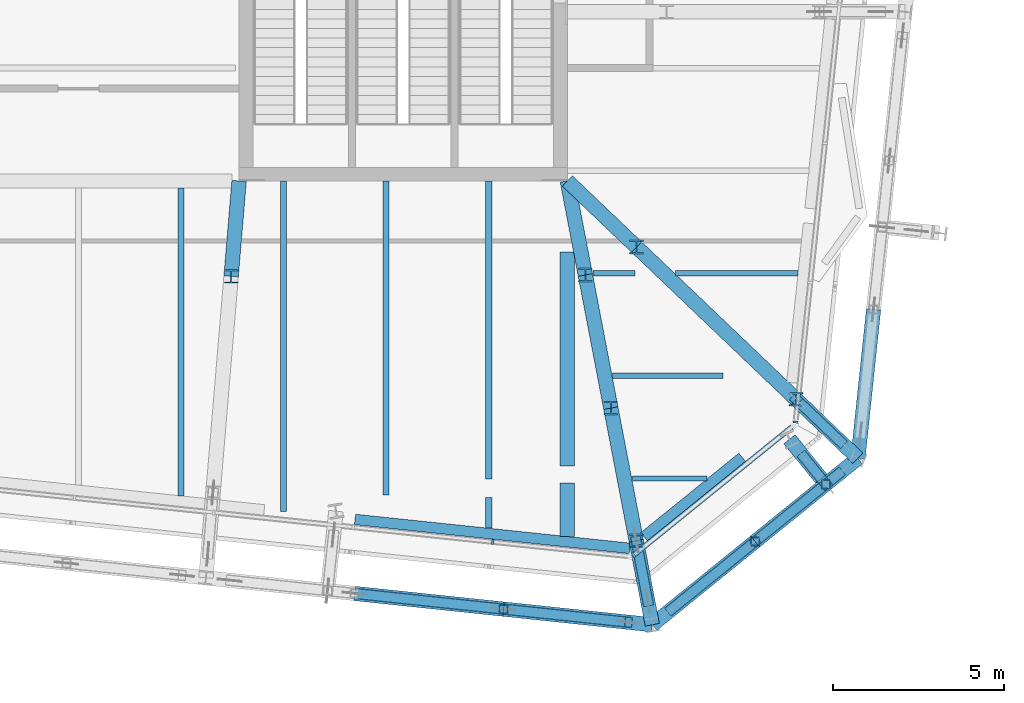
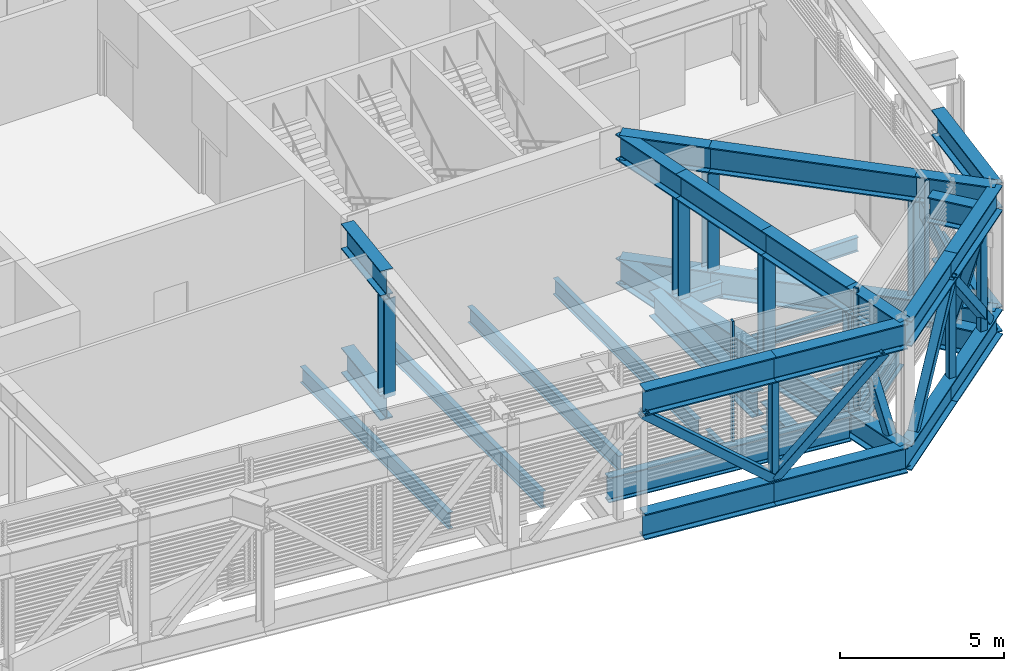
# One storey, part 9 of 36: 41 beams, 20 members, 3 elements without a shape of their own.
"""IFC4 building model written with IfcOpenShell, lengths in metres."""

from ifc_helpers import new_model, si_unit, direction, frame, origin, origin_2d, place, context, subcontext, project, spatial, rectangle, hollow_rectangle, i_section, extrude, material, layer, layer_set, material_profile, profile_set, type_object, element, aggregate, save


model = new_model("IFC4")

# Units and contexts
model_context = context("Model", 3, precision=1e-05, world=origin(), true_north=direction((0.0, 1.0)))
body_context = subcontext(model_context, "Body", "Model", "MODEL_VIEW")
ifc_project = project(units=[si_unit("LENGTHUNIT", "METRE"), si_unit("AREAUNIT", "SQUARE_METRE"), si_unit("VOLUMEUNIT", "CUBIC_METRE"), si_unit("PLANEANGLEUNIT", "RADIAN"), si_unit("MASSUNIT", "GRAM", prefix="KILO")], contexts=[model_context])

# Site, building, storey
site_placement = place(None, origin())
site = spatial("IfcSite", under=ifc_project, at=site_placement, CompositionType="ELEMENT")
building_placement = place(site_placement, origin())
building = spatial("IfcBuilding", under=site, at=building_placement, Name="Millrace Tower", CompositionType="ELEMENT")
storey_placement = place(building_placement, frame((0.0, 0.0, 271.39990234375)))
storey = spatial("IfcBuildingStorey", under=building, at=storey_placement, Name="L62", CompositionType="ELEMENT", Elevation=271.39990234375)

# Curtain wall, member
ifc_material_1 = material(Name="Aluminium and glass", Category="aluminium")
ifc_layer = layer(ifc_material_1, 0.14990234375)
ifc_layer_set = layer_set([ifc_layer], Name="Aluminium and glass")
curtain_wall_type = type_object("IfcCurtainWallType", Name="CW-5 truss and plant storey louvred infill", PredefinedType="NOTDEFINED", material=ifc_layer_set)
placement = place(storey_placement, origin())
curtain_wall_1 = element("IfcCurtainWall", 1, at=placement, inside=storey, type_object=curtain_wall_type, Name="Curtain wall E-F02 L62", PredefinedType="NOTDEFINED")
ifc_material_2 = material(Name="Aluminium", Category="aluminium")
ifc_material_profile_1 = material_profile(ifc_material_2, rectangle(XDim=0.06494140625, YDim=0.14990234375, at=origin_2d()))
ifc_profile_set_1 = profile_set([ifc_material_profile_1], Name="Aluminium")
member_type_1 = type_object("IfcMemberType", Name="CW-5 truss and plant storey louvred infill mullion", PredefinedType="MULLION", material=ifc_profile_set_1)
member_1_placement = place(storey_placement, frame((12.117919921875, -19.853271484375, 0.14013671875), z_axis=(0.0, 0.0, 1.0), x_axis=(0.994521896217, -0.104528455196, 0.0)))
member_1 = element("IfcMember", 2, at=member_1_placement, type_object=member_type_1, Name="CW5 mullion E-F02.9", PredefinedType="MULLION", context=body_context, shape_type="SweptSolid", body=[
    extrude(rectangle(XDim=0.06494140625, YDim=0.14990234375, at=origin_2d()), origin(), (0.0, 0.0, 1.0), 4.4599609375),
])
aggregate(curtain_wall_1, [member_1])

curtain_wall_2 = element("IfcCurtainWall", 3, at=placement, inside=storey, type_object=curtain_wall_type, Name="Curtain wall E-F03 L62", PredefinedType="NOTDEFINED")
member_2_placement = place(storey_placement, frame((16.243408203125, -20.24169921875, 0.14013671875), z_axis=(0.0, 0.0, 1.0), x_axis=(0.777146052237, 0.629320278945, 0.0)))
member_2 = element("IfcMember", 4, at=member_2_placement, type_object=member_type_1, Name="CW5 mullion E-F03.1", PredefinedType="MULLION", context=body_context, shape_type="SweptSolid", body=[
    extrude(rectangle(XDim=0.06494140625, YDim=0.14990234375, at=origin_2d()), origin(), (0.0, 0.0, 1.0), 4.4599609375),
])

curtain_wall_3 = element("IfcCurtainWall", 5, at=placement, inside=storey, type_object=curtain_wall_type, Name="Curtain wall E-F04 L62", PredefinedType="NOTDEFINED")
member_3_placement = place(storey_placement, frame((20.974853515625, -16.3525390625, 0.14013671875), z_axis=(0.0, 0.0, 1.0), x_axis=(0.104528455196, 0.994521896217, 0.0)))
member_3 = element("IfcMember", 6, at=member_3_placement, type_object=member_type_1, Name="CW5 mullion E-F04.1", PredefinedType="MULLION", context=body_context, shape_type="SweptSolid", body=[
    extrude(rectangle(XDim=0.06494140625, YDim=0.14990234375, at=origin_2d()), origin(), (0.0, 0.0, 1.0), 4.4599609375),
])
aggregate(curtain_wall_3, [member_3])

# Member
ifc_material_3 = material(Name="Aluminium", Category="aluminium")
ifc_material_profile_2 = material_profile(ifc_material_3, rectangle(XDim=0.14990234375, YDim=0.139892578125, at=origin_2d()))
ifc_profile_set_2 = profile_set([ifc_material_profile_2], Name="Aluminium")
member_type_2 = type_object("IfcMemberType", Name="CW-5 truss and plant storey louvred infill transom", PredefinedType="USERDEFINED", material=ifc_profile_set_2)
member_4_placement = place(storey_placement, frame((16.2958984375, -20.19921875, 0.070068359375), z_axis=(0.77714915117, 0.629316452061, 0.0), x_axis=(-0.629316452061, 0.77714915117, 0.0)))
member_4 = element("IfcMember", 7, at=member_4_placement, type_object=member_type_2, Name="CW5 transom E-F03.1", ObjectType="TRANSOM", PredefinedType="USERDEFINED", context=body_context, shape_type="SweptSolid", body=[
    extrude(rectangle(XDim=0.14990234375, YDim=0.139892578125, at=origin_2d()), origin(), (0.0, 0.0, 1.0), 5.880859375),
])

aggregate(curtain_wall_2, [member_2, member_4])

# Beams
ifc_material_4 = material(Name="Steel ASTM A992 Grade 50", Category="steel")
ifc_material_profile_3 = material_profile(ifc_material_4, i_section(OverallWidth=0.15234375, OverallDepth=0.449462890625, WebThickness=0.007568359375, FlangeThickness=0.0107421875, FilletRadius=0.01025390625, at=origin_2d()))
ifc_profile_set_3 = profile_set([ifc_material_profile_3], Name="Steel ASTM A992 Grade 50")
beam_type_1 = type_object("IfcBeamType", Name="Floor beam W18x35", PredefinedType="JOIST", material=ifc_profile_set_3)
beam_1_placement = place(storey_placement, frame((16.19970703125, -18.0, -0.384765625), z_axis=(1.0, 0.0, 0.0), x_axis=(0.0, 1.0, 0.0)))
element("IfcBeam", 8, at=beam_1_placement, inside=storey, type_object=beam_type_1, Name="BM-E-L62-S1-S001", PredefinedType="JOIST", context=body_context, shape_type="SweptSolid", body=[
    extrude(i_section(OverallWidth=0.15234375, OverallDepth=0.449462890625, WebThickness=0.007568359375, FlangeThickness=0.0107421875, FilletRadius=0.01025390625, at=origin_2d()), origin(), (0.0, 0.0, 1.0), 2.180419921875),
])
ifc_material_5 = material(Name="Steel ASTM A992 Grade 50", Category="steel")
ifc_material_profile_4 = material_profile(ifc_material_5, i_section(OverallWidth=0.1650390625, OverallDepth=0.52587890625, WebThickness=0.0087890625, FlangeThickness=0.011474609375, FilletRadius=0.0126953125, at=origin_2d()))
ifc_profile_set_4 = profile_set([ifc_material_profile_4], Name="Steel ASTM A992 Grade 50")
beam_type_2 = type_object("IfcBeamType", Name="Floor beam W21x44", PredefinedType="JOIST", material=ifc_profile_set_4)
beam_2_placement = place(storey_placement, frame((15.62353515625, -15.0, -0.4228515625), z_axis=(1.0, 0.0, 0.0), x_axis=(0.0, 1.0, 0.0)))
element("IfcBeam", 9, at=beam_2_placement, inside=storey, type_object=beam_type_2, Name="BM-E-L62-S1-S003-a", PredefinedType="JOIST", context=body_context, shape_type="SweptSolid", body=[
    extrude(i_section(OverallWidth=0.1650390625, OverallDepth=0.52587890625, WebThickness=0.0087890625, FlangeThickness=0.011474609375, FilletRadius=0.0126953125, at=origin_2d()), origin(), (0.0, 0.0, 1.0), 3.228515625),
])
beam_3_placement = place(storey_placement, frame((15.049072265625, -12.0, -0.4228515625), z_axis=(1.0, 0.0, 0.0), x_axis=(0.0, 1.0, 0.0)))
element("IfcBeam", 10, at=beam_3_placement, inside=storey, type_object=beam_type_2, Name="BM-E-L62-S1-S005-a", PredefinedType="JOIST", context=body_context, shape_type="SweptSolid", body=[
    extrude(i_section(OverallWidth=0.1650390625, OverallDepth=0.52587890625, WebThickness=0.0087890625, FlangeThickness=0.011474609375, FilletRadius=0.0126953125, at=origin_2d()), origin(), (0.0, 0.0, 1.0), 1.229248046875),
])
beam_4_placement = place(storey_placement, frame((17.456787109375, -12.0, -0.4228515625), z_axis=(1.0, 0.0, 0.0), x_axis=(0.0, 1.0, 0.0)))
element("IfcBeam", 11, at=beam_4_placement, inside=storey, type_object=beam_type_2, Name="BM-E-L62-S1-S005-b", PredefinedType="JOIST", context=body_context, shape_type="SweptSolid", body=[
    extrude(i_section(OverallWidth=0.1650390625, OverallDepth=0.52587890625, WebThickness=0.0087890625, FlangeThickness=0.011474609375, FilletRadius=0.0126953125, at=origin_2d()), origin(), (0.0, 0.0, 1.0), 3.591064453125),
])
ifc_material_6 = material(Name="Steel ASTM A992 Grade 50", Category="steel")
ifc_material_profile_5 = material_profile(ifc_material_6, i_section(OverallWidth=0.177978515625, OverallDepth=0.599365234375, WebThickness=0.010009765625, FlangeThickness=0.012939453125, FilletRadius=0.012939453125, at=origin_2d()))
ifc_profile_set_5 = profile_set([ifc_material_profile_5], Name="Steel ASTM A992 Grade 50")
beam_type_3 = type_object("IfcBeamType", Name="Floor beam W24x55", PredefinedType="JOIST", material=ifc_profile_set_5)
beam_5_placement = place(storey_placement, frame((3.0, -18.510498046875, -0.459716796875), z_axis=(0.0, 1.0, 0.0), x_axis=(-1.0, 0.0, 0.0)))
element("IfcBeam", 12, at=beam_5_placement, inside=storey, type_object=beam_type_3, Name="BM-E-L62-S1-S047", PredefinedType="JOIST", context=body_context, shape_type="SweptSolid", body=[
    extrude(i_section(OverallWidth=0.177978515625, OverallDepth=0.599365234375, WebThickness=0.010009765625, FlangeThickness=0.012939453125, FilletRadius=0.012939453125, at=origin_2d()), origin(), (0.0, 0.0, 1.0), 9.0009765625),
])
beam_6_placement = place(storey_placement, frame((6.0, -18.969970703125, -0.459716796875), z_axis=(0.0, 1.0, 0.0), x_axis=(-1.0, 0.0, 0.0)))
element("IfcBeam", 13, at=beam_6_placement, inside=storey, type_object=beam_type_3, Name="BM-E-L62-S1-S049", PredefinedType="JOIST", context=body_context, shape_type="SweptSolid", body=[
    extrude(i_section(OverallWidth=0.177978515625, OverallDepth=0.599365234375, WebThickness=0.010009765625, FlangeThickness=0.012939453125, FilletRadius=0.012939453125, at=origin_2d()), origin(), (0.0, 0.0, 1.0), 9.669921875),
])
beam_7_placement = place(storey_placement, frame((9.0, -18.491455078125, -0.459716796875), z_axis=(0.0, 1.0, 0.0), x_axis=(-1.0, 0.0, 0.0)))
element("IfcBeam", 14, at=beam_7_placement, inside=storey, type_object=beam_type_3, Name="BM-E-L62-S1-S051", PredefinedType="JOIST", context=body_context, shape_type="SweptSolid", body=[
    extrude(i_section(OverallWidth=0.177978515625, OverallDepth=0.599365234375, WebThickness=0.010009765625, FlangeThickness=0.012939453125, FilletRadius=0.012939453125, at=origin_2d()), origin(), (0.0, 0.0, 1.0), 9.19140625),
])
ifc_material_7 = material(Name="Steel ASTM A992 Grade 50", Category="steel")
ifc_material_profile_6 = material_profile(ifc_material_7, i_section(OverallWidth=0.1787109375, OverallDepth=0.60205078125, WebThickness=0.010986328125, FlangeThickness=0.014892578125, FilletRadius=0.0126953125, at=origin_2d()))
ifc_profile_set_6 = profile_set([ifc_material_profile_6], Name="Steel ASTM A992 Grade 50")
beam_type_4 = type_object("IfcBeamType", Name="Floor beam W24x62", PredefinedType="JOIST", material=ifc_profile_set_6)
beam_8_placement = place(storey_placement, frame((12.0, -19.45654296875, -0.4609375), z_axis=(0.0, 1.0, 0.0), x_axis=(-1.0, 0.0, 0.0)))
element("IfcBeam", 15, at=beam_8_placement, inside=storey, type_object=beam_type_4, Name="BM-E-L62-S1-S053-a", PredefinedType="JOIST", context=body_context, shape_type="SweptSolid", body=[
    extrude(i_section(OverallWidth=0.1787109375, OverallDepth=0.60205078125, WebThickness=0.010986328125, FlangeThickness=0.014892578125, FilletRadius=0.0126953125, at=origin_2d()), origin(), (0.0, 0.0, 1.0), 0.902099609375),
])
beam_9_placement = place(storey_placement, frame((12.0, -18.01708984375, -0.4609375), z_axis=(0.0, 1.0, 0.0), x_axis=(-1.0, 0.0, 0.0)))
element("IfcBeam", 16, at=beam_9_placement, inside=storey, type_object=beam_type_4, Name="BM-E-L62-S1-S053-b", PredefinedType="JOIST", context=body_context, shape_type="SweptSolid", body=[
    extrude(i_section(OverallWidth=0.1787109375, OverallDepth=0.60205078125, WebThickness=0.010986328125, FlangeThickness=0.014892578125, FilletRadius=0.0126953125, at=origin_2d()), origin(), (0.0, 0.0, 1.0), 8.717041015625),
])
ifc_material_8 = material(Name="Steel ASTM A992 Grade 50", Category="steel")
ifc_material_profile_7 = material_profile(ifc_material_8, i_section(OverallWidth=0.419189453125, OverallDepth=0.927001953125, WebThickness=0.019287109375, FlangeThickness=0.031982421875, FilletRadius=0.024169921875, at=origin_2d()))
ifc_profile_set_7 = profile_set([ifc_material_profile_7], Name="Steel ASTM A992 Grade 50")
beam_type_5 = type_object("IfcBeamType", Name="Girder short span W36x231", PredefinedType="BEAM", material=ifc_profile_set_7)
beam_10_placement = place(storey_placement, frame((14.300048828125, -19.6982421875, -0.62353515625), z_axis=(0.0, 1.0, 0.0), x_axis=(-1.0, 0.0, 0.0)))
element("IfcBeam", 17, at=beam_10_placement, inside=storey, type_object=beam_type_5, Name="BM-E-L62-S1-G057-a", PredefinedType="BEAM", context=body_context, shape_type="SweptSolid", body=[
    extrude(i_section(OverallWidth=0.419189453125, OverallDepth=0.927001953125, WebThickness=0.019287109375, FlangeThickness=0.031982421875, FilletRadius=0.024169921875, at=origin_2d()), origin(), (0.0, 0.0, 1.0), 1.5625),
])
beam_11_placement = place(storey_placement, frame((14.300048828125, -17.634033203125, -0.62353515625), z_axis=(0.0, 1.0, 0.0), x_axis=(-1.0, 0.0, 0.0)))
element("IfcBeam", 18, at=beam_11_placement, inside=storey, type_object=beam_type_5, Name="BM-E-L62-S1-G057-b", PredefinedType="BEAM", context=body_context, shape_type="SweptSolid", body=[
    extrude(i_section(OverallWidth=0.419189453125, OverallDepth=0.927001953125, WebThickness=0.019287109375, FlangeThickness=0.031982421875, FilletRadius=0.024169921875, at=origin_2d()), origin(), (0.0, 0.0, 1.0), 6.262451171875),
])
ifc_material_9 = material(Name="Steel ASTM A992 Grade 50", Category="steel")
ifc_material_profile_8 = material_profile(ifc_material_9, i_section(OverallWidth=0.307373046875, OverallDepth=0.927001953125, WebThickness=0.01953125, FlangeThickness=0.031982421875, FilletRadius=0.01904296875, at=origin_2d()))
ifc_profile_set_8 = profile_set([ifc_material_profile_8], Name="Steel ASTM A992 Grade 50")
beam_type_6 = type_object("IfcBeamType", Name="Ring beam short span W36x194", PredefinedType="SPANDREL", material=ifc_profile_set_8)
beam_12_placement = place(storey_placement, frame((16.123779296875, -20.04443359375, -0.62353515625), z_axis=(-0.994520843044, 0.104538474978, 0.0), x_axis=(-0.104538474978, -0.994520843044, 0.0)))
element("IfcBeam", 19, at=beam_12_placement, inside=storey, type_object=beam_type_6, Name="RNG-E-L62-S1-13-a", PredefinedType="SPANDREL", context=body_context, shape_type="SweptSolid", body=[
    extrude(i_section(OverallWidth=0.307373046875, OverallDepth=0.927001953125, WebThickness=0.01953125, FlangeThickness=0.031982421875, FilletRadius=0.01904296875, at=origin_2d()), origin(), (0.0, 0.0, 1.0), 8.078125),
])
beam_13_placement = place(storey_placement, frame((19.412841796875, -17.381103515625, -0.62353515625), z_axis=(-0.777167928869, -0.629293262587, 0.0), x_axis=(0.629293262587, -0.777167928869, 0.0)))
element("IfcBeam", 20, at=beam_13_placement, inside=storey, type_object=beam_type_6, Name="RNG-E-L62-S1-12", PredefinedType="SPANDREL", context=body_context, shape_type="SweptSolid", body=[
    extrude(i_section(OverallWidth=0.307373046875, OverallDepth=0.927001953125, WebThickness=0.01953125, FlangeThickness=0.031982421875, FilletRadius=0.01904296875, at=origin_2d()), origin(), (0.0, 0.0, 1.0), 3.69482421875),
])

# Members
ifc_material_10 = material(Name="Steel ASTM A992 Grade 50", Category="steel")
ifc_material_profile_9 = material_profile(ifc_material_10, i_section(OverallWidth=0.4013671875, OverallDepth=0.398681640625, WebThickness=0.02490234375, FlangeThickness=0.03955078125, FilletRadius=0.01513671875, at=origin_2d()))
ifc_profile_set_9 = profile_set([ifc_material_profile_9], Name="Steel ASTM A992 Grade 50")
member_type_3 = type_object("IfcMemberType", Name="Transfer truss Vierendeel moment post W14x211", PredefinedType="POST", material=ifc_profile_set_9)
for number, where, z_axis, x_axis, name in (
    (21, (4.466552734375, -12.09033203125, -0.159912109375), (0.0, 0.0, 1.0), (1.0, 0.0, 0.0), "TRS-L62-C04-V02"),
    (22, (16.3154296875, -19.82421875, -0.159912109375), (0.0, 0.0, 1.0), (1.0, 0.0, 0.0), "TRS-L62-C05-V01"),
    (23, (15.572509765625, -15.944580078125, -0.159912109375), (0.0, 0.0, 1.0), (1.0, 0.0, 0.0), "TRS-L62-C05-V02"),
    (24, (14.82666015625, -12.050048828125, -0.159912109375), (0.0, 0.0, 1.0), (1.0, 0.0, 0.0), "TRS-L62-C05-V03"),
    (25, (20.990478515625, -15.68408203125, -0.159912109375), (0.0, 0.0, 1.0), (1.0, 0.0, 0.0), "TRS-L62-C06-V01"),
    (26, (16.325927734375, -11.23291015625, -0.159912109375), (0.0, 0.0, 1.0), (1.0, 0.0, 0.0), "TRS-L62-C06-V02"),
):
    element("IfcMember", number, at=place(storey_placement, frame(where, z_axis=z_axis, x_axis=x_axis)), inside=storey, type_object=member_type_3, Name=name, PredefinedType="POST", context=body_context, shape_type="SweptSolid", body=[
        extrude(i_section(OverallWidth=0.4013671875, OverallDepth=0.398681640625, WebThickness=0.02490234375, FlangeThickness=0.03955078125, FilletRadius=0.01513671875, at=origin_2d()), origin(), (0.0, 0.0, 1.0), 3.652587890625),
    ])

# Beams
ifc_material_11 = material(Name="Steel ASTM A992 Grade 50", Category="steel")
ifc_material_profile_10 = material_profile(ifc_material_11, i_section(OverallWidth=0.424072265625, OverallDepth=0.947509765625, WebThickness=0.02392578125, FlangeThickness=0.042724609375, FilletRadius=0.024169921875, at=origin_2d()))
ifc_profile_set_10 = profile_set([ifc_material_profile_10], Name="Steel ASTM A992 Grade 50")
beam_type_7 = type_object("IfcBeamType", Name="Transfer truss chord W36x302", PredefinedType="BEAM", material=ifc_profile_set_10)
for number, where, z_axis, x_axis, name in (
    (27, (8.081298828125, -21.36474609375, -0.633544921875), (0.994525914823, -0.104490213635, 0.0), (0.104490213635, 0.994525914823, 0.0), "TRS-L62-R04-B02"),
    (28, (8.081298828125, -21.36474609375, 3.96630859375), (0.994525914823, -0.104490213635, 0.0), (0.104490213635, 0.994525914823, 0.0), "TRS-L62-R04-T02"),
):
    element("IfcBeam", number, at=place(storey_placement, frame(where, z_axis=z_axis, x_axis=x_axis)), inside=storey, type_object=beam_type_7, Name=name, PredefinedType="BEAM", context=body_context, shape_type="SweptSolid", body=[
        extrude(i_section(OverallWidth=0.424072265625, OverallDepth=0.947509765625, WebThickness=0.02392578125, FlangeThickness=0.042724609375, FilletRadius=0.024169921875, at=origin_2d()), origin(), (0.0, 0.0, 1.0), 4.376220703125),
    ])
for number, where, z_axis, x_axis, name in (
    (29, (12.43359375, -21.822021484375, -0.633544921875), (0.994519506184, -0.104551192336, 0.0), (0.104551192336, 0.994519506184, 0.0), "TRS-L62-R04-B03"),
    (30, (12.43359375, -21.822021484375, 3.96630859375), (0.994519506184, -0.104551192336, 0.0), (0.104551192336, 0.994519506184, 0.0), "TRS-L62-R04-T03"),
):
    element("IfcBeam", number, at=place(storey_placement, frame(where, z_axis=z_axis, x_axis=x_axis)), inside=storey, type_object=beam_type_7, Name=name, PredefinedType="BEAM", context=body_context, shape_type="SweptSolid", body=[
        extrude(i_section(OverallWidth=0.424072265625, OverallDepth=0.947509765625, WebThickness=0.02392578125, FlangeThickness=0.042724609375, FilletRadius=0.024169921875, at=origin_2d()), origin(), (0.0, 0.0, 1.0), 4.3759765625),
    ])
for number, where, z_axis, x_axis, name in (
    (31, (16.78564453125, -22.279541015625, -0.633544921875), (0.777155224442, 0.629308952043, 0.0), (-0.629308952043, 0.777155224442, 0.0), "TRS-L62-R05-B01"),
    (32, (16.78564453125, -22.279541015625, 3.96630859375), (0.777155224442, 0.629308952043, 0.0), (-0.629308952043, 0.777155224442, 0.0), "TRS-L62-R05-T01"),
    (33, (19.79248046875, -19.8447265625, -0.633544921875), (0.777155224442, 0.629308952043, 0.0), (-0.629308952043, 0.777155224442, 0.0), "TRS-L62-R05-B02"),
    (34, (19.79248046875, -19.8447265625, 3.96630859375), (0.777155224442, 0.629308952043, 0.0), (-0.629308952043, 0.777155224442, 0.0), "TRS-L62-R05-T02"),
):
    element("IfcBeam", number, at=place(storey_placement, frame(where, z_axis=z_axis, x_axis=x_axis)), inside=storey, type_object=beam_type_7, Name=name, PredefinedType="BEAM", context=body_context, shape_type="SweptSolid", body=[
        extrude(i_section(OverallWidth=0.424072265625, OverallDepth=0.947509765625, WebThickness=0.02392578125, FlangeThickness=0.042724609375, FilletRadius=0.024169921875, at=origin_2d()), origin(), (0.0, 0.0, 1.0), 3.869140625),
    ])
for number, where, z_axis, x_axis, name in (
    (35, (22.79931640625, -17.409912109375, -0.633544921875), (0.104490213635, 0.994525914823, 0.0), (-0.994525914823, 0.104490213635, 0.0), "TRS-L62-R06-B01"),
    (36, (22.79931640625, -17.409912109375, 3.96630859375), (0.104490213635, 0.994525914823, 0.0), (-0.994525914823, 0.104490213635, 0.0), "TRS-L62-R06-T01"),
):
    element("IfcBeam", number, at=place(storey_placement, frame(where, z_axis=z_axis, x_axis=x_axis)), inside=storey, type_object=beam_type_7, Name=name, PredefinedType="BEAM", context=body_context, shape_type="SweptSolid", body=[
        extrude(i_section(OverallWidth=0.424072265625, OverallDepth=0.947509765625, WebThickness=0.02392578125, FlangeThickness=0.042724609375, FilletRadius=0.024169921875, at=origin_2d()), origin(), (0.0, 0.0, 1.0), 4.376220703125),
    ])
for number, where, z_axis, x_axis, name in (
    (37, (4.466552734375, -12.09033203125, -0.633544921875), (0.083355759857, 0.996519852938, 0.0), (-0.996519852938, 0.083355759857, 0.0), "TRS-L62-C04-B03"),
    (38, (4.466552734375, -12.09033203125, 3.96630859375), (0.083355759857, 0.996519852938, 0.0), (-0.996519852938, 0.083355759857, 0.0), "TRS-L62-C04-T03"),
):
    element("IfcBeam", number, at=place(storey_placement, frame(where, z_axis=z_axis, x_axis=x_axis)), inside=storey, type_object=beam_type_7, Name=name, PredefinedType="BEAM", context=body_context, shape_type="SweptSolid", body=[
        extrude(i_section(OverallWidth=0.424072265625, OverallDepth=0.947509765625, WebThickness=0.02392578125, FlangeThickness=0.042724609375, FilletRadius=0.024169921875, at=origin_2d()), origin(), (0.0, 0.0, 1.0), 2.800048828125),
    ])
for number, where, z_axis, x_axis, name in (
    (39, (16.78564453125, -22.279541015625, -0.633544921875), (-0.188090309863, 0.982151737429, 0.0), (-0.982151737429, -0.188090309863, 0.0), "TRS-L62-C05-B01"),
    (40, (16.78564453125, -22.279541015625, 3.96630859375), (-0.188090309863, 0.982151737429, 0.0), (-0.982151737429, -0.188090309863, 0.0), "TRS-L62-C05-T01"),
):
    element("IfcBeam", number, at=place(storey_placement, frame(where, z_axis=z_axis, x_axis=x_axis)), inside=storey, type_object=beam_type_7, Name=name, PredefinedType="BEAM", context=body_context, shape_type="SweptSolid", body=[
        extrude(i_section(OverallWidth=0.424072265625, OverallDepth=0.947509765625, WebThickness=0.02392578125, FlangeThickness=0.042724609375, FilletRadius=0.024169921875, at=origin_2d()), origin(), (0.0, 0.0, 1.0), 2.5),
    ])
for number, where, z_axis, x_axis, name in (
    (41, (16.3154296875, -19.82421875, -0.633544921875), (-0.188074807791, 0.98215470608, 0.0), (-0.98215470608, -0.188074807791, 0.0), "TRS-L62-C05-B02"),
    (42, (16.3154296875, -19.82421875, 3.96630859375), (-0.188074807791, 0.98215470608, 0.0), (-0.98215470608, -0.188074807791, 0.0), "TRS-L62-C05-T02"),
):
    element("IfcBeam", number, at=place(storey_placement, frame(where, z_axis=z_axis, x_axis=x_axis)), inside=storey, type_object=beam_type_7, Name=name, PredefinedType="BEAM", context=body_context, shape_type="SweptSolid", body=[
        extrude(i_section(OverallWidth=0.424072265625, OverallDepth=0.947509765625, WebThickness=0.02392578125, FlangeThickness=0.042724609375, FilletRadius=0.024169921875, at=origin_2d()), origin(), (0.0, 0.0, 1.0), 3.9501953125),
    ])
for number, where, z_axis, x_axis, name in (
    (43, (15.572509765625, -15.944580078125, -0.633544921875), (-0.18809375273, 0.982151078085, 0.0), (-0.982151078085, -0.18809375273, 0.0), "TRS-L62-C05-B03"),
    (44, (15.572509765625, -15.944580078125, 3.96630859375), (-0.18809375273, 0.982151078085, 0.0), (-0.982151078085, -0.18809375273, 0.0), "TRS-L62-C05-T03"),
):
    element("IfcBeam", number, at=place(storey_placement, frame(where, z_axis=z_axis, x_axis=x_axis)), inside=storey, type_object=beam_type_7, Name=name, PredefinedType="BEAM", context=body_context, shape_type="SweptSolid", body=[
        extrude(i_section(OverallWidth=0.424072265625, OverallDepth=0.947509765625, WebThickness=0.02392578125, FlangeThickness=0.042724609375, FilletRadius=0.024169921875, at=origin_2d()), origin(), (0.0, 0.0, 1.0), 3.96533203125),
    ])
for number, where, z_axis, x_axis, name in (
    (45, (14.82666015625, -12.050048828125, -0.633544921875), (-0.188077639504, 0.982154163825, 0.0), (-0.982154163825, -0.188077639504, 0.0), "TRS-L62-C05-B04"),
    (46, (14.82666015625, -12.050048828125, 3.96630859375), (-0.188077639504, 0.982154163825, 0.0), (-0.982154163825, -0.188077639504, 0.0), "TRS-L62-C05-T04"),
):
    element("IfcBeam", number, at=place(storey_placement, frame(where, z_axis=z_axis, x_axis=x_axis)), inside=storey, type_object=beam_type_7, Name=name, PredefinedType="BEAM", context=body_context, shape_type="SweptSolid", body=[
        extrude(i_section(OverallWidth=0.424072265625, OverallDepth=0.947509765625, WebThickness=0.02392578125, FlangeThickness=0.042724609375, FilletRadius=0.024169921875, at=origin_2d()), origin(), (0.0, 0.0, 1.0), 2.800048828125),
    ])
for number, where, z_axis, x_axis, name in (
    (47, (22.79931640625, -17.409912109375, -0.633544921875), (-0.72351293183, 0.690310826711, 0.0), (-0.690310826711, -0.72351293183, 0.0), "TRS-L62-C06-B01"),
    (48, (22.79931640625, -17.409912109375, 3.96630859375), (-0.72351293183, 0.690310826711, 0.0), (-0.690310826711, -0.72351293183, 0.0), "TRS-L62-C06-T01"),
):
    element("IfcBeam", number, at=place(storey_placement, frame(where, z_axis=z_axis, x_axis=x_axis)), inside=storey, type_object=beam_type_7, Name=name, PredefinedType="BEAM", context=body_context, shape_type="SweptSolid", body=[
        extrude(i_section(OverallWidth=0.424072265625, OverallDepth=0.947509765625, WebThickness=0.02392578125, FlangeThickness=0.042724609375, FilletRadius=0.024169921875, at=origin_2d()), origin(), (0.0, 0.0, 1.0), 2.5),
    ])
for number, where, z_axis, x_axis, name in (
    (49, (20.990478515625, -15.68408203125, -0.633544921875), (-0.723460413315, 0.690365867034, 0.0), (-0.690365867034, -0.723460413315, 0.0), "TRS-L62-C06-B02"),
    (50, (20.990478515625, -15.68408203125, 3.96630859375), (-0.723460413315, 0.690365867034, 0.0), (-0.690365867034, -0.723460413315, 0.0), "TRS-L62-C06-T02"),
):
    element("IfcBeam", number, at=place(storey_placement, frame(where, z_axis=z_axis, x_axis=x_axis)), inside=storey, type_object=beam_type_7, Name=name, PredefinedType="BEAM", context=body_context, shape_type="SweptSolid", body=[
        extrude(i_section(OverallWidth=0.424072265625, OverallDepth=0.947509765625, WebThickness=0.02392578125, FlangeThickness=0.042724609375, FilletRadius=0.024169921875, at=origin_2d()), origin(), (0.0, 0.0, 1.0), 6.447509765625),
    ])
for number, where, z_axis, x_axis, name in (
    (51, (16.325927734375, -11.23291015625, -0.633544921875), (-0.723521801264, 0.690301530562, 0.0), (-0.690301530562, -0.723521801264, 0.0), "TRS-L62-C06-B03"),
    (52, (16.325927734375, -11.23291015625, 3.96630859375), (-0.723521801264, 0.690301530562, 0.0), (-0.690301530562, -0.723521801264, 0.0), "TRS-L62-C06-T03"),
):
    element("IfcBeam", number, at=place(storey_placement, frame(where, z_axis=z_axis, x_axis=x_axis)), inside=storey, type_object=beam_type_7, Name=name, PredefinedType="BEAM", context=body_context, shape_type="SweptSolid", body=[
        extrude(i_section(OverallWidth=0.424072265625, OverallDepth=0.947509765625, WebThickness=0.02392578125, FlangeThickness=0.042724609375, FilletRadius=0.024169921875, at=origin_2d()), origin(), (0.0, 0.0, 1.0), 2.800048828125),
    ])
for number, where, z_axis, x_axis, name in (
    (53, (20.79638671875, -16.85595703125, -0.633544921875), (0.629274206391, -0.777183358785, 0.0), (0.777183358785, 0.629274206391, 0.0), "TRS-L62-B-D-X05-B01"),
    (54, (20.79638671875, -16.85595703125, 3.96630859375), (0.629274206391, -0.777183358785, 0.0), (0.777183358785, 0.629274206391, 0.0), "TRS-L62-B-D-X05-T01"),
):
    element("IfcBeam", number, at=place(storey_placement, frame(where, z_axis=z_axis, x_axis=x_axis)), inside=storey, type_object=beam_type_7, Name=name, PredefinedType="BEAM", context=body_context, shape_type="SweptSolid", body=[
        extrude(i_section(OverallWidth=0.424072265625, OverallDepth=0.947509765625, WebThickness=0.02392578125, FlangeThickness=0.042724609375, FilletRadius=0.024169921875, at=origin_2d()), origin(), (0.0, 0.0, 1.0), 1.47900390625),
    ])

# Members
ifc_material_12 = material(Name="Steel ASTM A500 Grade C", Category="steel")
ifc_material_profile_11 = material_profile(ifc_material_12, hollow_rectangle(XDim=0.3046875, YDim=0.3046875, WallThickness=0.0126953125, InnerFilletRadius=0.00634765625, OuterFilletRadius=0.01904296875, at=origin_2d()))
ifc_profile_set_11 = profile_set([ifc_material_profile_11], Name="Steel ASTM A500 Grade C")
member_type_4 = type_object("IfcMemberType", Name="Transfer truss diagonal HSS12x12x1/2", PredefinedType="BRACE", material=ifc_profile_set_11)
member_5_placement = place(storey_placement, frame((12.43359375, -21.822021484375, -0.159912109375), z_axis=(-0.763525613441, 0.080220086048, 0.640775604571), x_axis=(-0.104490213635, -0.994525914823, 0.0)))
element("IfcMember", 55, at=member_5_placement, inside=storey, type_object=member_type_4, Name="TRS-L62-R04-D02", PredefinedType="BRACE", context=body_context, shape_type="SweptSolid", body=[
    extrude(hollow_rectangle(XDim=0.3046875, YDim=0.3046875, WallThickness=0.0126953125, InnerFilletRadius=0.00634765625, OuterFilletRadius=0.01904296875, at=origin_2d()), origin(), (0.0, 0.0, 1.0), 5.7001953125),
])
member_6_placement = place(storey_placement, frame((12.43359375, -21.822021484375, -0.159912109375), z_axis=(0.705489731102, -0.074152977413, 0.704830174759), x_axis=(0.104532672253, 0.994521452977, 0.0)))
element("IfcMember", 56, at=member_6_placement, inside=storey, type_object=member_type_4, Name="TRS-L62-R04-D03", PredefinedType="BRACE", context=body_context, shape_type="SweptSolid", body=[
    extrude(hollow_rectangle(XDim=0.3046875, YDim=0.3046875, WallThickness=0.0126953125, InnerFilletRadius=0.00634765625, OuterFilletRadius=0.01904296875, at=origin_2d()), origin(), (0.0, 0.0, 1.0), 5.18212890625),
])
for number, where, z_axis, x_axis, name in (
    (57, (17.329833984375, -21.839111328125, -0.159912109375), (0.509268034876, 0.412432891534, 0.755344410606), (-0.629353354828, 0.777119266758, 0.0), "TRS-L62-R05-D01"),
    (58, (22.25537109375, -17.850341796875, -0.159912109375), (-0.509305426848, -0.412422287066, 0.755324989203), (0.629315676605, -0.777149779115, 0.0), "TRS-L62-R05-D02"),
):
    element("IfcMember", number, at=place(storey_placement, frame(where, z_axis=z_axis, x_axis=x_axis)), inside=storey, type_object=member_type_4, Name=name, PredefinedType="BRACE", context=body_context, shape_type="SweptSolid", body=[
        extrude(hollow_rectangle(XDim=0.3046875, YDim=0.3046875, WallThickness=0.0126953125, InnerFilletRadius=0.00634765625, OuterFilletRadius=0.01904296875, at=origin_2d()), origin(), (0.0, 0.0, 1.0), 4.835693359375),
    ])
for number, where, z_axis, x_axis, name in (
    (59, (16.654052734375, -21.592041015625, -0.159912109375), (-0.083158712343, 0.434140040432, 0.896998915192), (-0.982144528923, -0.188127946639, 0.0), "TRS-L62-C05-D01"),
    (60, (22.292724609375, -16.9267578125, -0.159912109375), (-0.319802117769, 0.305172999521, 0.896992779142), (-0.690366060242, -0.723460228945, 0.0), "TRS-L62-C06-D01"),
):
    element("IfcMember", number, at=place(storey_placement, frame(where, z_axis=z_axis, x_axis=x_axis)), inside=storey, type_object=member_type_4, Name=name, PredefinedType="BRACE", context=body_context, shape_type="SweptSolid", body=[
        extrude(hollow_rectangle(XDim=0.3046875, YDim=0.3046875, WallThickness=0.0126953125, InnerFilletRadius=0.00634765625, OuterFilletRadius=0.01904296875, at=origin_2d()), origin(), (0.0, 0.0, 1.0), 4.072021484375),
    ])
member_7_placement = place(storey_placement, frame((21.22216796875, -17.381591796875, -0.159912109375), z_axis=(0.168411097046, -0.208018295778, 0.963517561341), x_axis=(0.777216852026, 0.629232838405, 0.0)))
element("IfcMember", 61, at=member_7_placement, inside=storey, type_object=member_type_4, Name="TRS-L62-B-D-X05-D01", PredefinedType="BRACE", context=body_context, shape_type="SweptSolid", body=[
    extrude(hollow_rectangle(XDim=0.3046875, YDim=0.3046875, WallThickness=0.0126953125, InnerFilletRadius=0.00634765625, OuterFilletRadius=0.01904296875, at=origin_2d()), origin(), (0.0, 0.0, 1.0), 3.790771484375),
])
ifc_material_13 = material(Name="Steel ASTM A500 Grade C", Category="steel")
ifc_material_profile_12 = material_profile(ifc_material_13, hollow_rectangle(XDim=0.25390625, YDim=0.25390625, WallThickness=0.0126953125, InnerFilletRadius=0.00634765625, OuterFilletRadius=0.01904296875, at=origin_2d()))
ifc_profile_set_12 = profile_set([ifc_material_profile_12], Name="Steel ASTM A500 Grade C")
member_type_5 = type_object("IfcMemberType", Name="Transfer truss post HSS10x10x1/2", PredefinedType="POST", material=ifc_profile_set_12)
for number, where, z_axis, x_axis, name in (
    (62, (12.43359375, -21.822021484375, -0.159912109375), (0.0, 0.0, 1.0), (1.0, 0.0, 0.0), "TRS-L62-R04-V02"),
    (63, (19.79248046875, -19.8447265625, -0.159912109375), (0.0, 0.0, 1.0), (1.0, 0.0, 0.0), "TRS-L62-R05-V01"),
    (64, (21.860595703125, -18.170166015625, -0.159912109375), (0.0, 0.0, 1.0), (1.0, 0.0, 0.0), "TRS-L62-B-D-X05-V01"),
):
    element("IfcMember", number, at=place(storey_placement, frame(where, z_axis=z_axis, x_axis=x_axis)), inside=storey, type_object=member_type_5, Name=name, PredefinedType="POST", context=body_context, shape_type="SweptSolid", body=[
        extrude(hollow_rectangle(XDim=0.25390625, YDim=0.25390625, WallThickness=0.0126953125, InnerFilletRadius=0.00634765625, OuterFilletRadius=0.01904296875, at=origin_2d()), origin(), (0.0, 0.0, 1.0), 3.652587890625),
    ])

save(model, "model.ifc")
